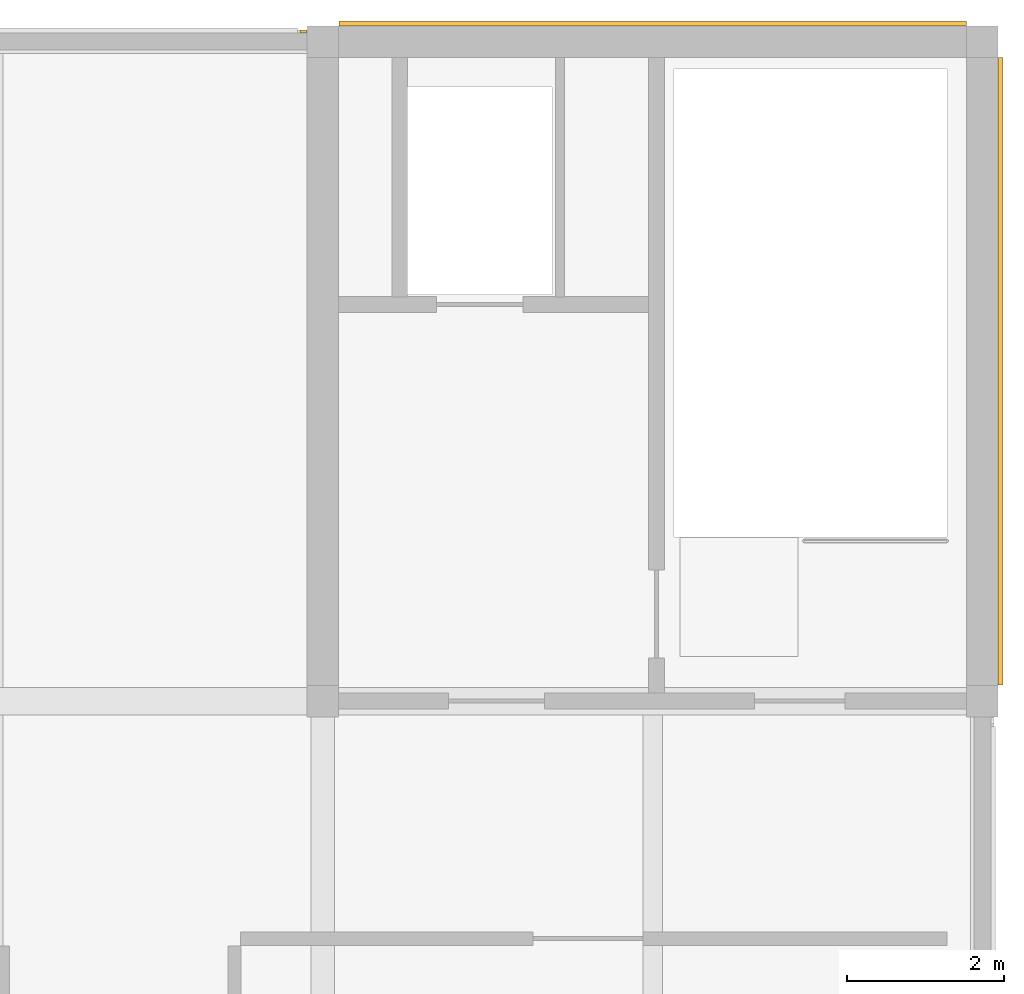
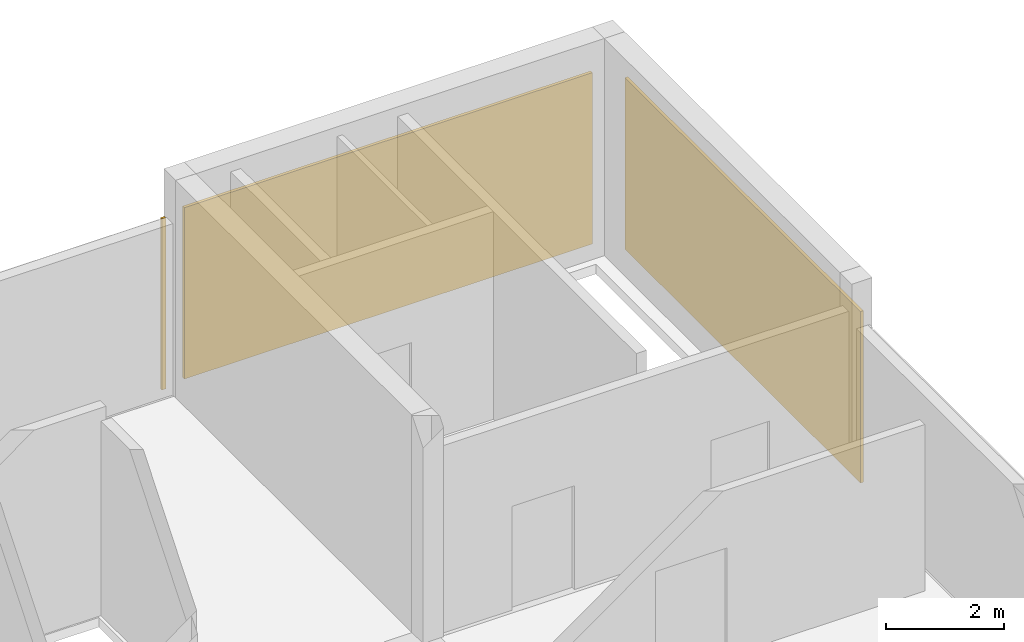
# One storey, part 11 of 11: 3 coverings.
"""IFC4 building model written with IfcOpenShell, lengths in metres."""

from ifc_helpers import new_model, si_unit, direction, frame, origin, origin_2d, place, context, subcontext, project, spatial, rectangle, extrude, material, layer, layer_set, type_object, element, save


model = new_model("IFC4")

# Units and contexts
model_context = context("Model", 3, precision=1e-05, world=origin(), true_north=direction((0.0, 1.0)))
body_context = subcontext(model_context, "Body", "Model", "MODEL_VIEW")
ifc_project = project(units=[si_unit("LENGTHUNIT", "METRE"), si_unit("AREAUNIT", "SQUARE_METRE"), si_unit("VOLUMEUNIT", "CUBIC_METRE"), si_unit("PLANEANGLEUNIT", "RADIAN"), si_unit("MASSUNIT", "GRAM", prefix="KILO")], contexts=[model_context])

# Site, building, storey
site_placement = place(None, origin())
site = spatial("IfcSite", under=ifc_project, at=site_placement, CompositionType="ELEMENT")
building_placement = place(site_placement, origin())
building = spatial("IfcBuilding", under=site, at=building_placement, Name="Telukmera Botanical Conservatory", CompositionType="ELEMENT")
storey_placement = place(building_placement, frame((0.0, 0.0, 73.5)))
storey = spatial("IfcBuildingStorey", under=building, at=storey_placement, Name="L16", CompositionType="ELEMENT", Elevation=73.5)

# Coverings
ifc_material_1 = material(Name="Granite-faced precast concrete C40/50", Category="masonry")
ifc_layer_1 = layer(ifc_material_1, 0.0400390625)
ifc_layer_set_1 = layer_set([ifc_layer_1], Name="Granite-faced precast concrete C40/50")
covering_type_1 = type_object("IfcCoveringType", Name="Granite Precast Column Pier Reveal Casing", PredefinedType="CLADDING", material=ifc_layer_set_1)
covering_placement = place(storey_placement, frame((92.14794921875, 34.530029296875, 0.0), z_axis=(0.0, 0.0, 1.0), x_axis=(1.0, 0.0, 0.0)))
element("IfcCovering", 1, at=covering_placement, inside=storey, type_object=covering_type_1, Name="Granite Pier Reveal V4:L16:N4 R", PredefinedType="CLADDING", context=body_context, shape_type="SweptSolid", body=[
    extrude(rectangle(XDim=0.080078125, YDim=0.0400390625, at=origin_2d()), origin(), (0.0, 0.0, 1.0), 3.550048828125),
])
ifc_material_2 = material(Name="Terracotta-faced precast concrete C40/50", Category="masonry")
ifc_layer_2 = layer(ifc_material_2, 0.06005859375)
ifc_layer_set_2 = layer_set([ifc_layer_2], Name="Terracotta-faced precast concrete C40/50")
covering_type_2 = type_object("IfcCoveringType", Name="Terracotta Core Perimeter Cladding Panel", PredefinedType="CLADDING", material=ifc_layer_set_2)
for number, where, z_axis, x_axis, name in (
    (2, (96.60009765625, 34.6298828125, 0.0), (0.0, 0.0, 1.0), (1.0, 0.0, 0.0), "Core Perimeter Terracotta Cladding V4:L16:N5"),
    (3, (101.030029296875, 30.199951171875, 0.0), (0.0, 0.0, 1.0), (0.0, 1.0, 0.0), "Core Perimeter Terracotta Cladding V4:L16:E3"),
):
    element("IfcCovering", number, at=place(storey_placement, frame(where, z_axis=z_axis, x_axis=x_axis)), inside=storey, type_object=covering_type_2, Name=name, PredefinedType="CLADDING", context=body_context, shape_type="SweptSolid", body=[
        extrude(rectangle(XDim=7.99609375, YDim=0.06005859375, at=origin_2d()), origin(), (0.0, 0.0, 1.0), 3.550048828125),
    ])

save(model, "model.ifc")
